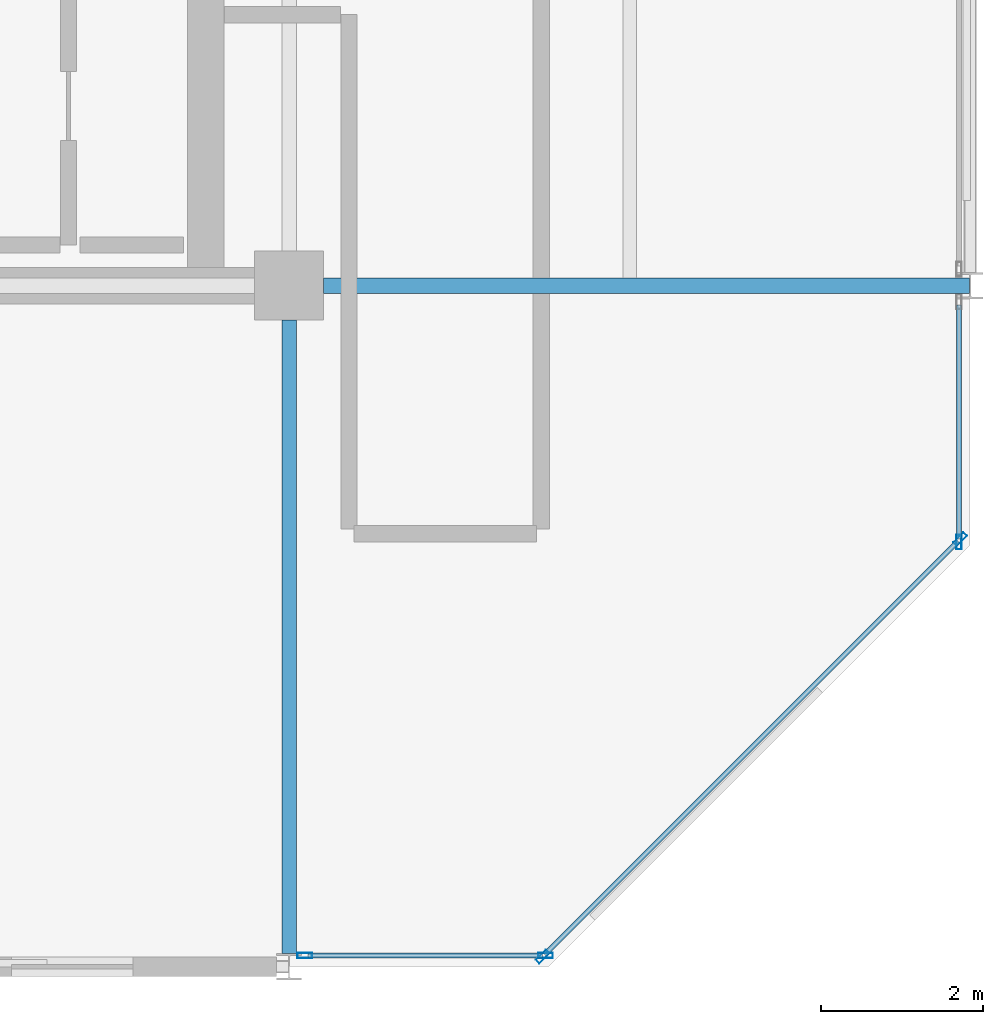
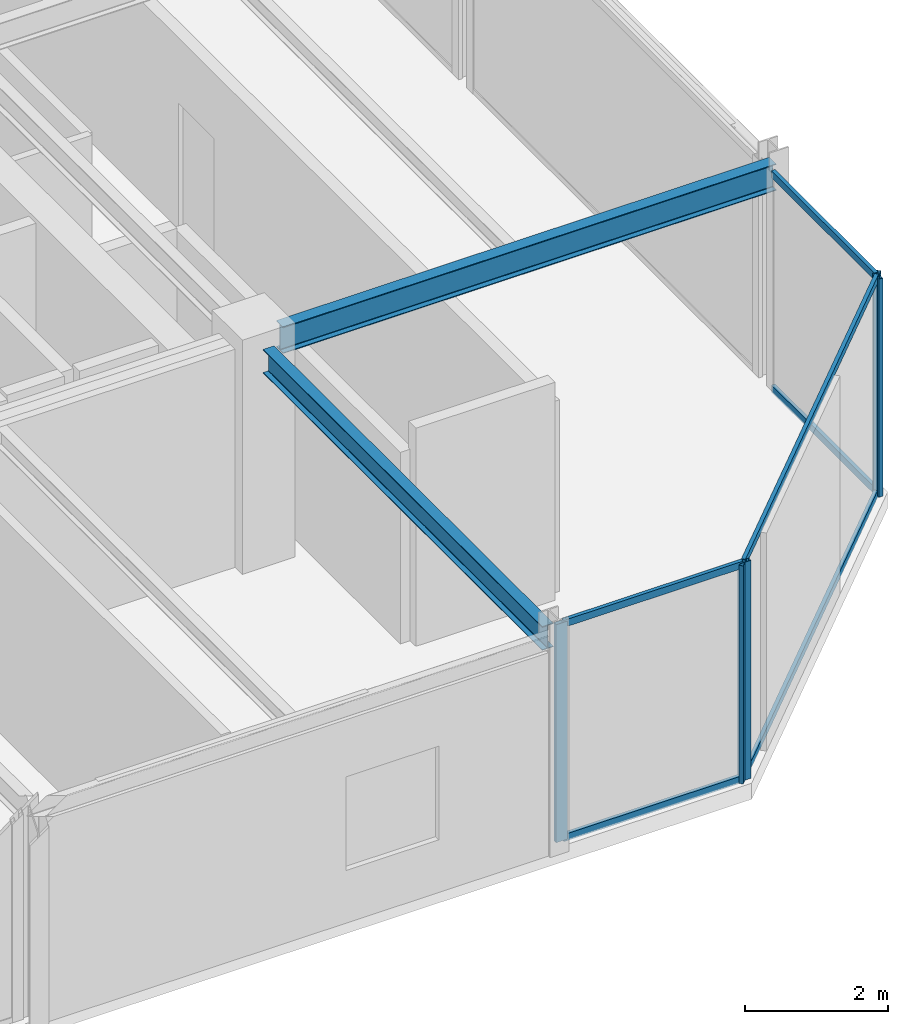
# One storey, part 14 of 26: 11 members, 2 beams, 3 elements without a shape of their own.
"""IFC4 building model written with IfcOpenShell, lengths in metres."""

import ifcopenshell
import ifcopenshell.guid

model = None  # the IFC model being written
_history = None  # IfcOwnerHistory: only IFC2X3 demands one
_inside = {}  # id of a spatial element -> (the spatial element, [elements in it])
_under = {}  # id of a project, library or spatial element -> (it, [spatial elements below it])
_declared = {}  # id of a project -> (the project, [libraries it declares])
_typed = {}  # id of a type object -> (the type object, [elements of that type])
_made_of = {}  # id of a material, layer set ... -> (it, [elements and type objects made of it])


def new_model(schema):
    """Start an empty IFC model of exactly this schema.

    Asked for "IFC4X3", IfcOpenShell would pick the latest addendum, in which some entities
    have other attributes; the version numbers below select the first issue.
    IFC2X3 requires an IfcOwnerHistory on every rooted entity: one is made here for all.
    """
    global model, _history
    if schema == "IFC4X3":
        model = ifcopenshell.file(schema_version=(4, 3, 0, 0))
    else:
        model = ifcopenshell.file(schema=schema)
    _inside.clear()
    _under.clear()
    _declared.clear()
    _typed.clear()
    _made_of.clear()
    _history = None
    if model.schema == "IFC2X3":
        org = make("IfcOrganization", Name="unknown")
        user = make(
            "IfcPersonAndOrganization",
            ThePerson=make("IfcPerson", FamilyName="unknown"),
            TheOrganization=org,
        )
        app = make(
            "IfcApplication",
            ApplicationDeveloper=org,
            Version="unknown",
            ApplicationFullName="unknown",
            ApplicationIdentifier="unknown",
        )
        _history = make(
            "IfcOwnerHistory",
            OwningUser=user,
            OwningApplication=app,
            ChangeAction="ADDED",
            CreationDate=0,
        )
    return model


def make(cls, **values):
    """One entity of the class cls with the attributes given. An attribute that is None is left unset."""
    return model.create_entity(
        cls, **{name: value for name, value in values.items() if value is not None}
    )


def rooted(cls, **values):
    """An entity with a GlobalId (a new one), such as an element, a storey or a relation."""
    return make(cls, GlobalId=ifcopenshell.guid.new(), OwnerHistory=_history, **values)


def si_unit(unit_type, name, prefix=None):
    """IfcSIUnit, for example si_unit("LENGTHUNIT", "METRE", prefix="MILLI")."""
    return make("IfcSIUnit", UnitType=unit_type, Prefix=prefix, Name=name)


def assignment(units):
    """IfcUnitAssignment: the units of a project."""
    return None if units is None else make("IfcUnitAssignment", Units=units)


def point(xyz):
    """IfcCartesianPoint."""
    return None if xyz is None else make("IfcCartesianPoint", Coordinates=xyz)


def direction(xyz):
    """IfcDirection."""
    return None if xyz is None else make("IfcDirection", DirectionRatios=xyz)


def frame(location, z_axis=None, x_axis=None):
    """IfcAxis2Placement3D, a coordinate frame: its origin and axes. An axis left out is left unset."""
    return make(
        "IfcAxis2Placement3D",
        Location=point(location),
        Axis=direction(z_axis),
        RefDirection=direction(x_axis),
    )


def frame_2d(location, x_axis=None):
    """IfcAxis2Placement2D, a coordinate frame in the plane: its origin and x axis."""
    return make(
        "IfcAxis2Placement2D", Location=point(location), RefDirection=direction(x_axis)
    )


def origin():
    """The frame at (0, 0, 0) with its axes left unset."""
    return frame((0.0, 0.0, 0.0))


def origin_2d():
    """The frame at (0, 0) in the plane with its x axis left unset."""
    return frame_2d((0.0, 0.0))


def place(relative_to, where):
    """IfcLocalPlacement: puts the frame where relative to a parent placement (None: the world)."""
    return make(
        "IfcLocalPlacement", PlacementRelTo=relative_to, RelativePlacement=where
    )


def context(
    kind, dimensions, precision=None, world=None, true_north=None, identifier=None
):
    """IfcGeometricRepresentationContext, for example the 3D "Model" context."""
    return make(
        "IfcGeometricRepresentationContext",
        ContextIdentifier=identifier,
        ContextType=kind,
        CoordinateSpaceDimension=dimensions,
        Precision=precision,
        WorldCoordinateSystem=world,
        TrueNorth=true_north,
    )


def subcontext(parent, identifier, kind, view, scale=None):
    """IfcGeometricRepresentationSubContext, for example "Body" below "Model"."""
    return make(
        "IfcGeometricRepresentationSubContext",
        ContextIdentifier=identifier,
        ContextType=kind,
        ParentContext=parent,
        TargetScale=scale,
        TargetView=view,
    )


def project(units=None, contexts=None):
    """IfcProject with its units and contexts."""
    return rooted(
        "IfcProject",
        Name="project",
        RepresentationContexts=contexts,
        UnitsInContext=assignment(units),
    )


def spatial(cls, under=None, at=None, **own):
    """A site, building, storey or space (cls), placed at a placement, below another one or the project."""
    s = rooted(cls, ObjectPlacement=at, **own)
    if under is not None:
        _under.setdefault(under.id(), (under, []))[1].append(s)
    return s


def profile(cls, at=None, kind="AREA", **sizes):
    """A parametric profile (cls). Its sizes go by their IFC names, for example OverallWidth=200.0."""
    return make(cls, ProfileType=kind, Position=at, **sizes)


def hollow_rectangle(**sizes):
    """IfcRectangleHollowProfileDef."""
    return profile("IfcRectangleHollowProfileDef", **sizes)


def i_section(**sizes):
    """IfcIShapeProfileDef."""
    return profile("IfcIShapeProfileDef", **sizes)


def extrude(swept, where, along, depth):
    """IfcExtrudedAreaSolid: the profile swept, set in the frame where, extruded along a direction by depth."""
    return make(
        "IfcExtrudedAreaSolid",
        SweptArea=swept,
        Position=where,
        ExtrudedDirection=direction(along),
        Depth=depth,
    )


def shape(context_of_items, identifier, shape_type, items):
    """IfcShapeRepresentation: the items that make up one representation, for example the "Body"."""
    return make(
        "IfcShapeRepresentation",
        ContextOfItems=context_of_items,
        RepresentationIdentifier=identifier,
        RepresentationType=shape_type,
        Items=items,
    )


def material(Name=None, Category=None):
    """IfcMaterial."""
    return make("IfcMaterial", Name=Name, Category=Category)


def layer(
    of_material, thickness, ventilated=None, Name=None, Category=None, Priority=None
):
    """IfcMaterialLayer: one layer of a wall or slab, of a material (None: an air gap)."""
    return make(
        "IfcMaterialLayer",
        Material=of_material,
        LayerThickness=thickness,
        IsVentilated=ventilated,
        Name=Name,
        Category=Category,
        Priority=Priority,
    )


def layer_set(layers, Name=None):
    """IfcMaterialLayerSet."""
    return make("IfcMaterialLayerSet", MaterialLayers=layers, LayerSetName=Name)


def material_profile(
    of_material, cross_section, Name=None, Category=None, Priority=None
):
    """IfcMaterialProfile: a cross section and its material."""
    return make(
        "IfcMaterialProfile",
        Name=Name,
        Material=of_material,
        Profile=cross_section,
        Priority=Priority,
        Category=Category,
    )


def profile_set(profiles, Name=None, composite=None):
    """IfcMaterialProfileSet."""
    return make(
        "IfcMaterialProfileSet",
        Name=Name,
        MaterialProfiles=profiles,
        CompositeProfile=composite,
    )


def made_of(thing, what):
    """Note that an element or type object is made of a material, layer set ...; save() writes the relation."""
    if what is not None:
        _made_of.setdefault(what.id(), (what, []))[1].append(thing)
    return thing


def type_object(cls, material=None, **own):
    """A type object (cls), such as IfcWallType, which elements share."""
    return made_of(rooted(cls, **own), material)


def element(
    cls,
    number,
    at=None,
    inside=None,
    cuts=None,
    type_object=None,
    material=None,
    context=None,
    identifier="Body",
    shape_type=None,
    held_by="IfcProductDefinitionShape",
    body=None,
    shapes=None,
    **own,
):
    """One element of the class cls, such as IfcWall. Its Tag is "e" and its number.

    at: its placement. inside: the storey or other place that contains it. cuts: it is an
    opening in that element (IfcRelVoidsElement). A single representation is given by context,
    identifier, shape_type and body (its items); several are given by shapes. held_by: the class
    of the entity that holds the representations. save() writes the other relations.
    """
    e = rooted(cls, Tag="e%d" % number, ObjectPlacement=at, **own)
    if body is not None:
        shapes = [shape(context, identifier, shape_type, body)]
    if shapes is not None:
        e.Representation = make(held_by, Representations=shapes)
    if inside is not None:
        _inside.setdefault(inside.id(), (inside, []))[1].append(e)
    if cuts is not None:
        rooted(
            "IfcRelVoidsElement", RelatingBuildingElement=cuts, RelatedOpeningElement=e
        )
    if type_object is not None:
        _typed.setdefault(type_object.id(), (type_object, []))[1].append(e)
    return made_of(e, material)


def aggregate(whole, parts):
    """IfcRelAggregates: a whole, such as a stair, and the parts it consists of."""
    return rooted("IfcRelAggregates", RelatingObject=whole, RelatedObjects=parts)


def save(model, path):
    """Write the relations noted so far, then the file.

    IfcRelAggregates (storeys below a building ...), IfcRelContainedInSpatialStructure (elements
    in a storey), IfcRelDefinesByType, IfcRelAssociatesMaterial and IfcRelDeclares: one each for
    every whole, place, type object, material and project.
    """
    for whole, parts in _under.values():
        aggregate(whole, parts)
    for where, things in _inside.values():
        rooted(
            "IfcRelContainedInSpatialStructure",
            RelatedElements=things,
            RelatingStructure=where,
        )
    for kind, things in _typed.values():
        rooted("IfcRelDefinesByType", RelatedObjects=things, RelatingType=kind)
    for what, things in _made_of.values():
        rooted("IfcRelAssociatesMaterial", RelatedObjects=things, RelatingMaterial=what)
    for by, libraries in _declared.values():
        rooted("IfcRelDeclares", RelatingContext=by, RelatedDefinitions=libraries)
    model.write(path)


model = new_model("IFC4")

# Units and contexts
model_context = context("Model", 3, precision=1e-05, world=origin(), true_north=direction((0.0, 1.0)))
body_context = subcontext(model_context, "Body", "Model", "MODEL_VIEW")
ifc_project = project(units=[si_unit("LENGTHUNIT", "METRE"), si_unit("AREAUNIT", "SQUARE_METRE"), si_unit("VOLUMEUNIT", "CUBIC_METRE"), si_unit("PLANEANGLEUNIT", "RADIAN"), si_unit("MASSUNIT", "GRAM", prefix="KILO")], contexts=[model_context])

# Site, building, storey
site_placement = place(None, origin())
site = spatial("IfcSite", under=ifc_project, at=site_placement, CompositionType="ELEMENT")
building_placement = place(site_placement, origin())
building = spatial("IfcBuilding", under=site, at=building_placement, Name="Nerrivon Quay Data Exchange", CompositionType="ELEMENT")
storey_placement = place(building_placement, frame((0.0, 0.0, 270.199951171875)))
storey = spatial("IfcBuildingStorey", under=building, at=storey_placement, Name="L64", CompositionType="ELEMENT", Elevation=270.199951171875)

# Beams
ifc_material_1 = material(Name="Steel Grade 350", Category="steel")
ifc_material_profile_1 = material_profile(ifc_material_1, i_section(OverallWidth=0.18994140625, OverallDepth=0.4541015625, WebThickness=0.008544921875, FlangeThickness=0.0126953125, FilletRadius=0.011474609375, at=origin_2d()), Name="460UB67.1")
ifc_profile_set_1 = profile_set([ifc_material_profile_1], Name="Steel Grade 350")
beam_type_1 = type_object("IfcBeamType", Name="BM-G6-460UB67", PredefinedType="BEAM", material=ifc_profile_set_1)
beam_1_placement = place(storey_placement, frame((34.02490234375, 8.39990234375, 3.498046875), z_axis=(1.0, 0.0, 0.0), x_axis=(0.0, 1.0, 0.0)))
element("IfcBeam", 1, at=beam_1_placement, inside=storey, type_object=beam_type_1, Name="L64 EW Girder Y=8.4 (33.6..42.0)", PredefinedType="BEAM", context=body_context, shape_type="SweptSolid", body=[
    extrude(i_section(OverallWidth=0.18994140625, OverallDepth=0.4541015625, WebThickness=0.008544921875, FlangeThickness=0.0126953125, FilletRadius=0.011474609375, at=origin_2d()), origin(), (0.0, 0.0, 1.0), 7.96728515625),
])
ifc_material_profile_2 = material_profile(ifc_material_1, i_section(OverallWidth=0.177978515625, OverallDepth=0.406005859375, WebThickness=0.0078125, FlangeThickness=0.0126953125, FilletRadius=0.011474609375, at=origin_2d()), Name="410UB59.7")
ifc_profile_set_2 = profile_set([ifc_material_profile_2], Name="Steel Grade 350")
beam_type_2 = type_object("IfcBeamType", Name="BM-J1-410UB60", PredefinedType="JOIST", material=ifc_profile_set_2)
beam_2_placement = place(storey_placement, frame((33.60009765625, 0.16357421875, 3.52197265625), z_axis=(0.0, 1.0, 0.0), x_axis=(-1.0, 0.0, 0.0)))
element("IfcBeam", 2, at=beam_2_placement, inside=storey, type_object=beam_type_2, Name="L64 NS Girder X=33.6 (0.0..8.4)", PredefinedType="JOIST", context=body_context, shape_type="SweptSolid", body=[
    extrude(i_section(OverallWidth=0.177978515625, OverallDepth=0.406005859375, WebThickness=0.0078125, FlangeThickness=0.0126953125, FilletRadius=0.011474609375, at=origin_2d()), origin(), (0.0, 0.0, 1.0), 7.8115234375),
])

# Curtain wall, members
ifc_material_2 = material(Name="Anodised aluminium 6063-T6", Category="aluminium")
ifc_layer = layer(ifc_material_2, 0.195068359375)
ifc_layer_set = layer_set([ifc_layer], Name="Anodised aluminium 6063-T6")
curtain_wall_type = type_object("IfcCurtainWallType", Name="CW-SYS-06", PredefinedType="NOTDEFINED", material=ifc_layer_set)
curtain_wall_1_placement = place(storey_placement, origin())
curtain_wall_1 = element("IfcCurtainWall", 3, at=curtain_wall_1_placement, inside=storey, type_object=curtain_wall_type, Name="L64 Unitised Curtain Wall 1", PredefinedType="NOTDEFINED")
ifc_material_profile_3 = material_profile(ifc_material_2, hollow_rectangle(XDim=0.06494140625, YDim=0.179931640625, WallThickness=0.00341796875, at=origin_2d()), Name="ALU-MULL-180x65")
ifc_profile_set_3 = profile_set([ifc_material_profile_3], Name="Anodised aluminium 6063-T6")
member_type_1 = type_object("IfcMemberType", Name="CWM-180x65", PredefinedType="MULLION", material=ifc_profile_set_3)
member_1_placement = place(storey_placement, frame((41.87451171875, 5.2724609375, 0.0), z_axis=(0.0, 0.0, 1.0), x_axis=(0.707106781187, -0.707106781187, 0.0)))
member_1 = element("IfcMember", 4, at=member_1_placement, type_object=member_type_1, Name="CW06 mullion 1", PredefinedType="MULLION", context=body_context, shape_type="SweptSolid", body=[
    extrude(hollow_rectangle(XDim=0.06494140625, YDim=0.179931640625, WallThickness=0.00341796875, at=origin_2d()), origin(), (0.0, 0.0, 1.0), 3.72509765625),
])
member_2_placement = place(storey_placement, frame((36.7275390625, 0.12548828125, 0.0), z_axis=(0.0, 0.0, 1.0), x_axis=(0.707106781187, -0.707106781187, 0.0)))
member_2 = element("IfcMember", 5, at=member_2_placement, type_object=member_type_1, Name="CW06 mullion 2", PredefinedType="MULLION", context=body_context, shape_type="SweptSolid", body=[
    extrude(hollow_rectangle(XDim=0.06494140625, YDim=0.179931640625, WallThickness=0.00341796875, at=origin_2d()), origin(), (0.0, 0.0, 1.0), 3.72509765625),
])

curtain_wall_2_placement = place(storey_placement, origin())
curtain_wall_2 = element("IfcCurtainWall", 6, at=curtain_wall_2_placement, inside=storey, type_object=curtain_wall_type, Name="L64 Unitised Curtain Wall 2", PredefinedType="NOTDEFINED")
member_3_placement = place(storey_placement, frame((36.762451171875, 0.139892578125, 0.0), z_axis=(0.0, 0.0, 1.0), x_axis=(0.0, -1.0, 0.0)))
member_3 = element("IfcMember", 7, at=member_3_placement, type_object=member_type_1, Name="CW06 mullion 1", PredefinedType="MULLION", context=body_context, shape_type="SweptSolid", body=[
    extrude(hollow_rectangle(XDim=0.06494140625, YDim=0.179931640625, WallThickness=0.00341796875, at=origin_2d()), origin(), (0.0, 0.0, 1.0), 3.72509765625),
])
member_4_placement = place(storey_placement, frame((33.79296875, 0.139892578125, 0.0), z_axis=(0.0, 0.0, 1.0), x_axis=(0.0, -1.0, 0.0)))
member_4 = element("IfcMember", 8, at=member_4_placement, type_object=member_type_1, Name="CW06 mullion 2", PredefinedType="MULLION", context=body_context, shape_type="SweptSolid", body=[
    extrude(hollow_rectangle(XDim=0.06494140625, YDim=0.179931640625, WallThickness=0.00341796875, at=origin_2d()), origin(), (0.0, 0.0, 1.0), 3.72509765625),
])

# Curtain wall, member
curtain_wall_3_placement = place(storey_placement, origin())
curtain_wall_3 = element("IfcCurtainWall", 9, at=curtain_wall_3_placement, inside=storey, type_object=curtain_wall_type, Name="L64 Unitised Curtain Wall 28", PredefinedType="NOTDEFINED")
member_5_placement = place(storey_placement, frame((41.860107421875, 5.237548828125, 0.0), z_axis=(0.0, 0.0, 1.0), x_axis=(1.0, 0.0, 0.0)))
member_5 = element("IfcMember", 10, at=member_5_placement, type_object=member_type_1, Name="CW06 mullion 2", PredefinedType="MULLION", context=body_context, shape_type="SweptSolid", body=[
    extrude(hollow_rectangle(XDim=0.06494140625, YDim=0.179931640625, WallThickness=0.00341796875, at=origin_2d()), origin(), (0.0, 0.0, 1.0), 3.72509765625),
])

# Member
ifc_material_profile_4 = material_profile(ifc_material_2, hollow_rectangle(XDim=0.06005859375, YDim=0.1201171875, WallThickness=0.003173828125, at=origin_2d()), Name="ALU-TRAN-120x60")
ifc_profile_set_4 = profile_set([ifc_material_profile_4], Name="Anodised aluminium 6063-T6")
member_type_2 = type_object("IfcMemberType", Name="CWT-120x60", PredefinedType="USERDEFINED", material=ifc_profile_set_4)
member_6_placement = place(storey_placement, frame((41.847900390625, 5.245849609375, 0.032470703125), z_axis=(-0.707106781187, -0.707106781187, 0.0), x_axis=(0.707106781187, -0.707106781187, 0.0)))
member_6 = element("IfcMember", 11, at=member_6_placement, type_object=member_type_2, Name="CW06 transom 1.1", ObjectType="TRANSOM", PredefinedType="USERDEFINED", context=body_context, shape_type="SweptSolid", body=[
    extrude(hollow_rectangle(XDim=0.06005859375, YDim=0.1201171875, WallThickness=0.003173828125, at=origin_2d()), origin(), (0.0, 0.0, 1.0), 7.20361328125),
])

member_7_placement = place(storey_placement, frame((41.847900390625, 5.245849609375, 3.692626953125), z_axis=(-0.707106781187, -0.707106781187, 0.0), x_axis=(0.707106781187, -0.707106781187, 0.0)))
member_7 = element("IfcMember", 12, at=member_7_placement, type_object=member_type_2, Name="CW06 transom 1.2", ObjectType="TRANSOM", PredefinedType="USERDEFINED", context=body_context, shape_type="SweptSolid", body=[
    extrude(hollow_rectangle(XDim=0.06005859375, YDim=0.1201171875, WallThickness=0.003173828125, at=origin_2d()), origin(), (0.0, 0.0, 1.0), 7.20361328125),
])

aggregate(curtain_wall_1, [member_1, member_2, member_6, member_7])

member_8_placement = place(storey_placement, frame((36.72509765625, 0.139892578125, 0.032470703125), z_axis=(-1.0, 0.0, 0.0), x_axis=(0.0, -1.0, 0.0)))
member_8 = element("IfcMember", 13, at=member_8_placement, type_object=member_type_2, Name="CW06 transom 1.1", ObjectType="TRANSOM", PredefinedType="USERDEFINED", context=body_context, shape_type="SweptSolid", body=[
    extrude(hollow_rectangle(XDim=0.06005859375, YDim=0.1201171875, WallThickness=0.003173828125, at=origin_2d()), origin(), (0.0, 0.0, 1.0), 2.89453125),
])

member_9_placement = place(storey_placement, frame((36.72509765625, 0.139892578125, 3.692626953125), z_axis=(-1.0, 0.0, 0.0), x_axis=(0.0, -1.0, 0.0)))
member_9 = element("IfcMember", 14, at=member_9_placement, type_object=member_type_2, Name="CW06 transom 1.2", ObjectType="TRANSOM", PredefinedType="USERDEFINED", context=body_context, shape_type="SweptSolid", body=[
    extrude(hollow_rectangle(XDim=0.06005859375, YDim=0.1201171875, WallThickness=0.003173828125, at=origin_2d()), origin(), (0.0, 0.0, 1.0), 2.89453125),
])

aggregate(curtain_wall_2, [member_3, member_4, member_8, member_9])

member_10_placement = place(storey_placement, frame((41.860107421875, 8.16162109375, 0.032470703125), z_axis=(0.0, -1.0, 0.0), x_axis=(1.0, 0.0, 0.0)))
member_10 = element("IfcMember", 15, at=member_10_placement, type_object=member_type_2, Name="CW06 transom 1.1", ObjectType="TRANSOM", PredefinedType="USERDEFINED", context=body_context, shape_type="SweptSolid", body=[
    extrude(hollow_rectangle(XDim=0.06005859375, YDim=0.1201171875, WallThickness=0.003173828125, at=origin_2d()), origin(), (0.0, 0.0, 1.0), 2.88671875),
])

member_11_placement = place(storey_placement, frame((41.860107421875, 8.16162109375, 3.692626953125), z_axis=(0.0, -1.0, 0.0), x_axis=(1.0, 0.0, 0.0)))
member_11 = element("IfcMember", 16, at=member_11_placement, type_object=member_type_2, Name="CW06 transom 1.2", ObjectType="TRANSOM", PredefinedType="USERDEFINED", context=body_context, shape_type="SweptSolid", body=[
    extrude(hollow_rectangle(XDim=0.06005859375, YDim=0.1201171875, WallThickness=0.003173828125, at=origin_2d()), origin(), (0.0, 0.0, 1.0), 2.88671875),
])

aggregate(curtain_wall_3, [member_5, member_10, member_11])

save(model, "model.ifc")
